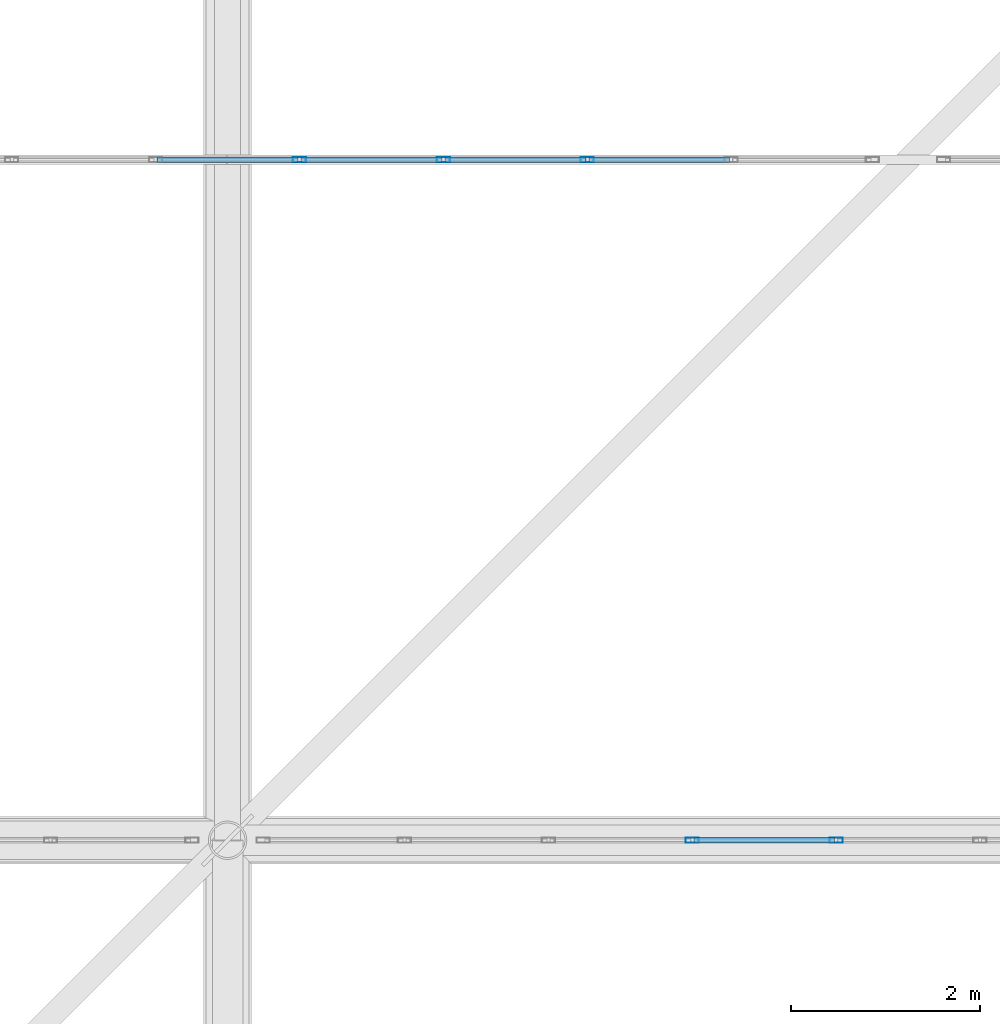
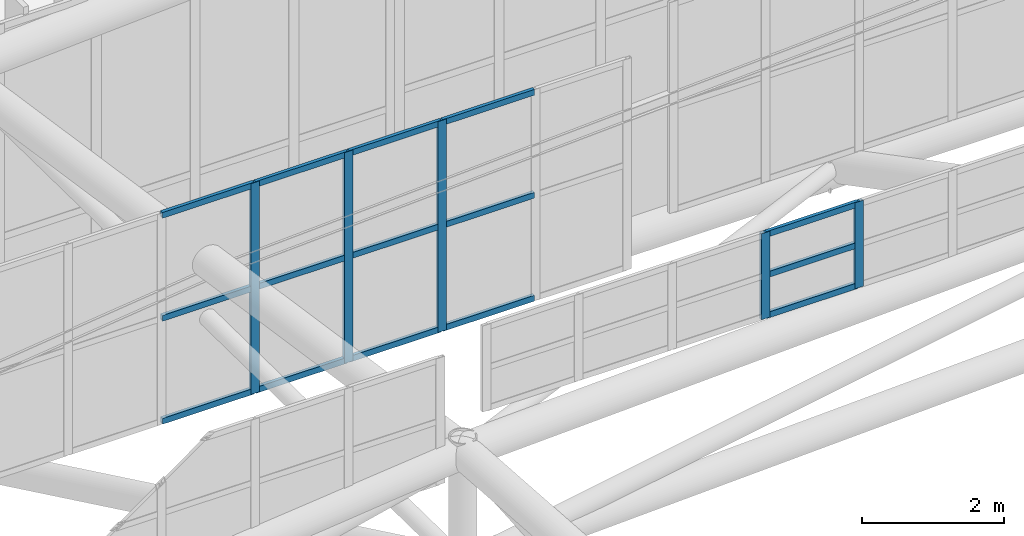
# One storey, part 243 of 397: 20 members, 2 elements without a shape of their own.
"""IFC4 building model written with IfcOpenShell, lengths in metres."""

from ifc_helpers import new_model, si_unit, direction, frame, origin, origin_2d, place, context, subcontext, project, spatial, hollow_rectangle, extrude, material, material_profile, profile_set, type_object, element, aggregate, save


model = new_model("IFC4")

# Units and contexts
model_context = context("Model", 3, precision=1e-05, world=origin(), true_north=direction((0.0, 1.0)))
body_context = subcontext(model_context, "Body", "Model", "MODEL_VIEW")
ifc_project = project(units=[si_unit("LENGTHUNIT", "METRE"), si_unit("AREAUNIT", "SQUARE_METRE"), si_unit("VOLUMEUNIT", "CUBIC_METRE"), si_unit("PLANEANGLEUNIT", "RADIAN"), si_unit("MASSUNIT", "GRAM", prefix="KILO")], contexts=[model_context])

# Site, building, storey
site_placement = place(None, origin())
site = spatial("IfcSite", under=ifc_project, at=site_placement, CompositionType="ELEMENT")
building_placement = place(site_placement, origin())
building = spatial("IfcBuilding", under=site, at=building_placement, Name="Qandorah Velis Arena", CompositionType="ELEMENT")
storey_placement = place(building_placement, frame((0.0, 0.0, 27.5)))
storey = spatial("IfcBuildingStorey", under=building, at=storey_placement, Name="RF", CompositionType="ELEMENT", Elevation=27.5)

# Curtain wall, members
ifc_material_1 = material(Name="Solar-control low-E double glazing", Category="glass")
curtain_wall_type_1 = type_object("IfcCurtainWallType", Name="ARC-CW-SYS02", PredefinedType="USERDEFINED", material=ifc_material_1)
curtain_wall_1_placement = place(storey_placement, origin())
curtain_wall_1 = element("IfcCurtainWall", 1, at=curtain_wall_1_placement, inside=storey, type_object=curtain_wall_type_1, Name="Unitised curtain wall MON-4-2", ObjectType="UNITISED CURTAIN WALL", PredefinedType="USERDEFINED")
ifc_material_2 = material(Name="Champagne-bronze anodized aluminium 6063-T6", Category="aluminium")
ifc_material_profile_1 = material_profile(ifc_material_2, hollow_rectangle(XDim=0.054931640625, YDim=0.139892578125, WallThickness=0.0029296875, at=origin_2d()), Name="ALU MULLION 55x140")
ifc_profile_set_1 = profile_set([ifc_material_profile_1], Name="Champagne-bronze anodized aluminium 6063-T6")
member_type_1 = type_object("IfcMemberType", Name="ARC-CWM-140", PredefinedType="MULLION", material=ifc_profile_set_1)
member_1_placement = place(storey_placement, frame((43.961181640625, 108.0, 5.337646484375), z_axis=(0.0, 0.0, 1.0), x_axis=(0.0, 1.0, 0.0)))
member_1 = element("IfcMember", 2, at=member_1_placement, type_object=member_type_1, Name="CW02 mullion 6", PredefinedType="MULLION", context=body_context, shape_type="SweptSolid", body=[
    extrude(hollow_rectangle(XDim=0.054931640625, YDim=0.139892578125, WallThickness=0.0029296875, at=origin_2d()), origin(), (0.0, 0.0, 1.0), 3.630126953125),
])
member_2_placement = place(storey_placement, frame((45.4833984375, 108.0, 5.337646484375), z_axis=(0.0, 0.0, 1.0), x_axis=(0.0, 1.0, 0.0)))
member_2 = element("IfcMember", 3, at=member_2_placement, type_object=member_type_1, Name="CW02 mullion 7", PredefinedType="MULLION", context=body_context, shape_type="SweptSolid", body=[
    extrude(hollow_rectangle(XDim=0.054931640625, YDim=0.139892578125, WallThickness=0.0029296875, at=origin_2d()), origin(), (0.0, 0.0, 1.0), 3.630126953125),
])
member_3_placement = place(storey_placement, frame((47.005615234375, 108.0, 5.337646484375), z_axis=(0.0, 0.0, 1.0), x_axis=(0.0, 1.0, 0.0)))
member_3 = element("IfcMember", 4, at=member_3_placement, type_object=member_type_1, Name="CW02 mullion 8", PredefinedType="MULLION", context=body_context, shape_type="SweptSolid", body=[
    extrude(hollow_rectangle(XDim=0.054931640625, YDim=0.139892578125, WallThickness=0.0029296875, at=origin_2d()), origin(), (0.0, 0.0, 1.0), 3.630126953125),
])

curtain_wall_type_2 = type_object("IfcCurtainWallType", Name="ARC-CW-SYS22", PredefinedType="USERDEFINED", material=ifc_material_1)
curtain_wall_2_placement = place(storey_placement, origin())
curtain_wall_2 = element("IfcCurtainWall", 5, at=curtain_wall_2_placement, inside=storey, type_object=curtain_wall_type_2, Name="Unitised curtain wall OCULUS-4-2", ObjectType="UNITISED CURTAIN WALL", PredefinedType="USERDEFINED")
member_4_placement = place(storey_placement, frame((48.11669921875, 100.800048828125, 9.5341796875), z_axis=(0.0, 0.0, 1.0), x_axis=(0.0, 1.0, 0.0)))
member_4 = element("IfcMember", 6, at=member_4_placement, type_object=member_type_1, Name="CW22 mullion 4", PredefinedType="MULLION", context=body_context, shape_type="SweptSolid", body=[
    extrude(hollow_rectangle(XDim=0.054931640625, YDim=0.139892578125, WallThickness=0.0029296875, at=origin_2d()), origin(), (0.0, 0.0, 1.0), 1.480712890625),
])
member_5_placement = place(storey_placement, frame((49.638916015625, 100.800048828125, 9.5341796875), z_axis=(0.0, 0.0, 1.0), x_axis=(0.0, 1.0, 0.0)))
member_5 = element("IfcMember", 7, at=member_5_placement, type_object=member_type_1, Name="CW22 mullion 5", PredefinedType="MULLION", context=body_context, shape_type="SweptSolid", body=[
    extrude(hollow_rectangle(XDim=0.054931640625, YDim=0.139892578125, WallThickness=0.0029296875, at=origin_2d()), origin(), (0.0, 0.0, 1.0), 1.480712890625),
])

# Member
ifc_material_profile_2 = material_profile(ifc_material_2, hollow_rectangle(XDim=0.054931640625, YDim=0.10009765625, WallThickness=0.0029296875, at=origin_2d()), Name="ALU TRANSOM 55x100")
ifc_profile_set_2 = profile_set([ifc_material_profile_2], Name="Champagne-bronze anodized aluminium 6063-T6")
member_type_2 = type_object("IfcMemberType", Name="ARC-CWT-100", PredefinedType="USERDEFINED", material=ifc_profile_set_2)
member_6_placement = place(storey_placement, frame((42.454345703125, 108.0, 5.380126953125), z_axis=(1.0, 0.0, 0.0), x_axis=(0.0, 1.0, 0.0)))
member_6 = element("IfcMember", 8, at=member_6_placement, type_object=member_type_2, Name="CW02 transom 5.1", ObjectType="TRANSOM", PredefinedType="USERDEFINED", context=body_context, shape_type="SweptSolid", body=[
    extrude(hollow_rectangle(XDim=0.054931640625, YDim=0.10009765625, WallThickness=0.0029296875, at=origin_2d()), origin(), (0.0, 0.0, 1.0), 1.4912109375),
])

member_7_placement = place(storey_placement, frame((42.454345703125, 108.0, 7.152587890625), z_axis=(1.0, 0.0, 0.0), x_axis=(0.0, 1.0, 0.0)))
member_7 = element("IfcMember", 9, at=member_7_placement, type_object=member_type_2, Name="CW02 transom 5.2", ObjectType="TRANSOM", PredefinedType="USERDEFINED", context=body_context, shape_type="SweptSolid", body=[
    extrude(hollow_rectangle(XDim=0.054931640625, YDim=0.10009765625, WallThickness=0.0029296875, at=origin_2d()), origin(), (0.0, 0.0, 1.0), 1.4912109375),
])

member_8_placement = place(storey_placement, frame((42.454345703125, 108.0, 8.92529296875), z_axis=(1.0, 0.0, 0.0), x_axis=(0.0, 1.0, 0.0)))
member_8 = element("IfcMember", 10, at=member_8_placement, type_object=member_type_2, Name="CW02 transom 5.3", ObjectType="TRANSOM", PredefinedType="USERDEFINED", context=body_context, shape_type="SweptSolid", body=[
    extrude(hollow_rectangle(XDim=0.054931640625, YDim=0.10009765625, WallThickness=0.0029296875, at=origin_2d()), origin(), (0.0, 0.0, 1.0), 1.4912109375),
])

member_9_placement = place(storey_placement, frame((43.9765625, 108.0, 5.380126953125), z_axis=(1.0, 0.0, 0.0), x_axis=(0.0, 1.0, 0.0)))
member_9 = element("IfcMember", 11, at=member_9_placement, type_object=member_type_2, Name="CW02 transom 6.1", ObjectType="TRANSOM", PredefinedType="USERDEFINED", context=body_context, shape_type="SweptSolid", body=[
    extrude(hollow_rectangle(XDim=0.054931640625, YDim=0.10009765625, WallThickness=0.0029296875, at=origin_2d()), origin(), (0.0, 0.0, 1.0), 1.4912109375),
])

member_10_placement = place(storey_placement, frame((43.9765625, 108.0, 7.152587890625), z_axis=(1.0, 0.0, 0.0), x_axis=(0.0, 1.0, 0.0)))
member_10 = element("IfcMember", 12, at=member_10_placement, type_object=member_type_2, Name="CW02 transom 6.2", ObjectType="TRANSOM", PredefinedType="USERDEFINED", context=body_context, shape_type="SweptSolid", body=[
    extrude(hollow_rectangle(XDim=0.054931640625, YDim=0.10009765625, WallThickness=0.0029296875, at=origin_2d()), origin(), (0.0, 0.0, 1.0), 1.4912109375),
])

member_11_placement = place(storey_placement, frame((43.9765625, 108.0, 8.92529296875), z_axis=(1.0, 0.0, 0.0), x_axis=(0.0, 1.0, 0.0)))
member_11 = element("IfcMember", 13, at=member_11_placement, type_object=member_type_2, Name="CW02 transom 6.3", ObjectType="TRANSOM", PredefinedType="USERDEFINED", context=body_context, shape_type="SweptSolid", body=[
    extrude(hollow_rectangle(XDim=0.054931640625, YDim=0.10009765625, WallThickness=0.0029296875, at=origin_2d()), origin(), (0.0, 0.0, 1.0), 1.4912109375),
])

member_12_placement = place(storey_placement, frame((45.498779296875, 108.0, 5.380126953125), z_axis=(1.0, 0.0, 0.0), x_axis=(0.0, 1.0, 0.0)))
member_12 = element("IfcMember", 14, at=member_12_placement, type_object=member_type_2, Name="CW02 transom 7.1", ObjectType="TRANSOM", PredefinedType="USERDEFINED", context=body_context, shape_type="SweptSolid", body=[
    extrude(hollow_rectangle(XDim=0.054931640625, YDim=0.10009765625, WallThickness=0.0029296875, at=origin_2d()), origin(), (0.0, 0.0, 1.0), 1.4912109375),
])

member_13_placement = place(storey_placement, frame((45.498779296875, 108.0, 7.152587890625), z_axis=(1.0, 0.0, 0.0), x_axis=(0.0, 1.0, 0.0)))
member_13 = element("IfcMember", 15, at=member_13_placement, type_object=member_type_2, Name="CW02 transom 7.2", ObjectType="TRANSOM", PredefinedType="USERDEFINED", context=body_context, shape_type="SweptSolid", body=[
    extrude(hollow_rectangle(XDim=0.054931640625, YDim=0.10009765625, WallThickness=0.0029296875, at=origin_2d()), origin(), (0.0, 0.0, 1.0), 1.4912109375),
])

member_14_placement = place(storey_placement, frame((45.498779296875, 108.0, 8.92529296875), z_axis=(1.0, 0.0, 0.0), x_axis=(0.0, 1.0, 0.0)))
member_14 = element("IfcMember", 16, at=member_14_placement, type_object=member_type_2, Name="CW02 transom 7.3", ObjectType="TRANSOM", PredefinedType="USERDEFINED", context=body_context, shape_type="SweptSolid", body=[
    extrude(hollow_rectangle(XDim=0.054931640625, YDim=0.10009765625, WallThickness=0.0029296875, at=origin_2d()), origin(), (0.0, 0.0, 1.0), 1.4912109375),
])

member_15_placement = place(storey_placement, frame((47.02099609375, 108.0, 5.380126953125), z_axis=(1.0, 0.0, 0.0), x_axis=(0.0, 1.0, 0.0)))
member_15 = element("IfcMember", 17, at=member_15_placement, type_object=member_type_2, Name="CW02 transom 8.1", ObjectType="TRANSOM", PredefinedType="USERDEFINED", context=body_context, shape_type="SweptSolid", body=[
    extrude(hollow_rectangle(XDim=0.054931640625, YDim=0.10009765625, WallThickness=0.0029296875, at=origin_2d()), origin(), (0.0, 0.0, 1.0), 1.4912109375),
])

member_16_placement = place(storey_placement, frame((47.02099609375, 108.0, 7.152587890625), z_axis=(1.0, 0.0, 0.0), x_axis=(0.0, 1.0, 0.0)))
member_16 = element("IfcMember", 18, at=member_16_placement, type_object=member_type_2, Name="CW02 transom 8.2", ObjectType="TRANSOM", PredefinedType="USERDEFINED", context=body_context, shape_type="SweptSolid", body=[
    extrude(hollow_rectangle(XDim=0.054931640625, YDim=0.10009765625, WallThickness=0.0029296875, at=origin_2d()), origin(), (0.0, 0.0, 1.0), 1.4912109375),
])

member_17_placement = place(storey_placement, frame((47.02099609375, 108.0, 8.92529296875), z_axis=(1.0, 0.0, 0.0), x_axis=(0.0, 1.0, 0.0)))
member_17 = element("IfcMember", 19, at=member_17_placement, type_object=member_type_2, Name="CW02 transom 8.3", ObjectType="TRANSOM", PredefinedType="USERDEFINED", context=body_context, shape_type="SweptSolid", body=[
    extrude(hollow_rectangle(XDim=0.054931640625, YDim=0.10009765625, WallThickness=0.0029296875, at=origin_2d()), origin(), (0.0, 0.0, 1.0), 1.4912109375),
])

aggregate(curtain_wall_1, [member_1, member_2, member_3, member_6, member_7, member_8, member_9, member_10, member_11, member_12, member_13, member_14, member_15, member_16, member_17])

member_18_placement = place(storey_placement, frame((48.132080078125, 100.800048828125, 9.57666015625), z_axis=(1.0, 0.0, 0.0), x_axis=(0.0, 1.0, 0.0)))
member_18 = element("IfcMember", 20, at=member_18_placement, type_object=member_type_2, Name="CW22 transom 4.1", ObjectType="TRANSOM", PredefinedType="USERDEFINED", context=body_context, shape_type="SweptSolid", body=[
    extrude(hollow_rectangle(XDim=0.054931640625, YDim=0.10009765625, WallThickness=0.0029296875, at=origin_2d()), origin(), (0.0, 0.0, 1.0), 1.4912109375),
])

member_19_placement = place(storey_placement, frame((48.132080078125, 100.800048828125, 10.274658203125), z_axis=(1.0, 0.0, 0.0), x_axis=(0.0, 1.0, 0.0)))
member_19 = element("IfcMember", 21, at=member_19_placement, type_object=member_type_2, Name="CW22 transom 4.2", ObjectType="TRANSOM", PredefinedType="USERDEFINED", context=body_context, shape_type="SweptSolid", body=[
    extrude(hollow_rectangle(XDim=0.054931640625, YDim=0.10009765625, WallThickness=0.0029296875, at=origin_2d()), origin(), (0.0, 0.0, 1.0), 1.4912109375),
])

member_20_placement = place(storey_placement, frame((48.132080078125, 100.800048828125, 10.972412109375), z_axis=(1.0, 0.0, 0.0), x_axis=(0.0, 1.0, 0.0)))
member_20 = element("IfcMember", 22, at=member_20_placement, type_object=member_type_2, Name="CW22 transom 4.3", ObjectType="TRANSOM", PredefinedType="USERDEFINED", context=body_context, shape_type="SweptSolid", body=[
    extrude(hollow_rectangle(XDim=0.054931640625, YDim=0.10009765625, WallThickness=0.0029296875, at=origin_2d()), origin(), (0.0, 0.0, 1.0), 1.4912109375),
])

aggregate(curtain_wall_2, [member_4, member_5, member_18, member_19, member_20])

save(model, "model.ifc")
